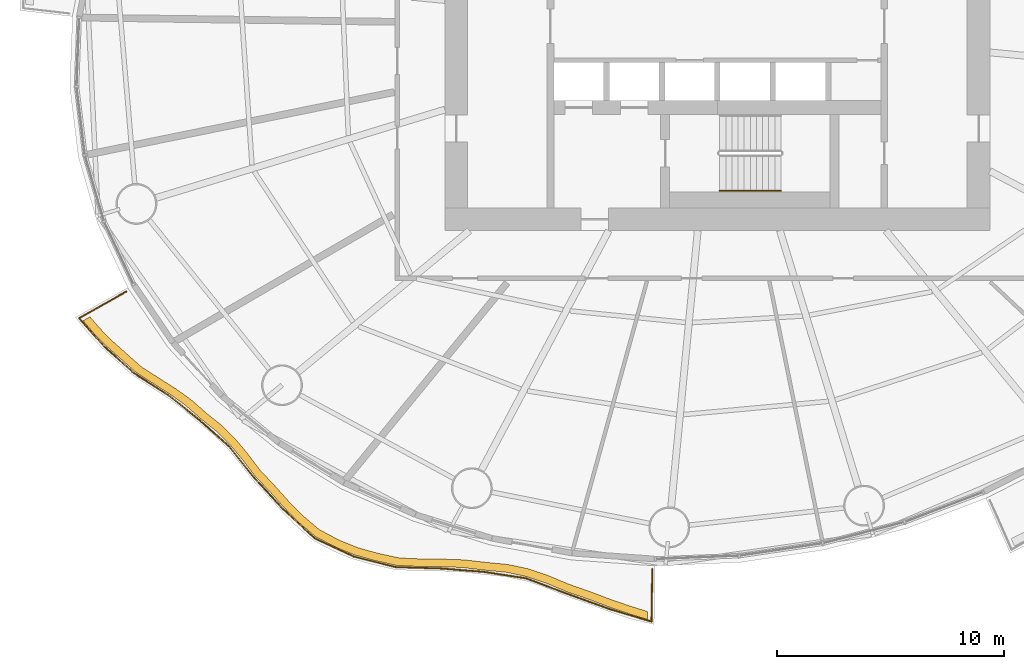
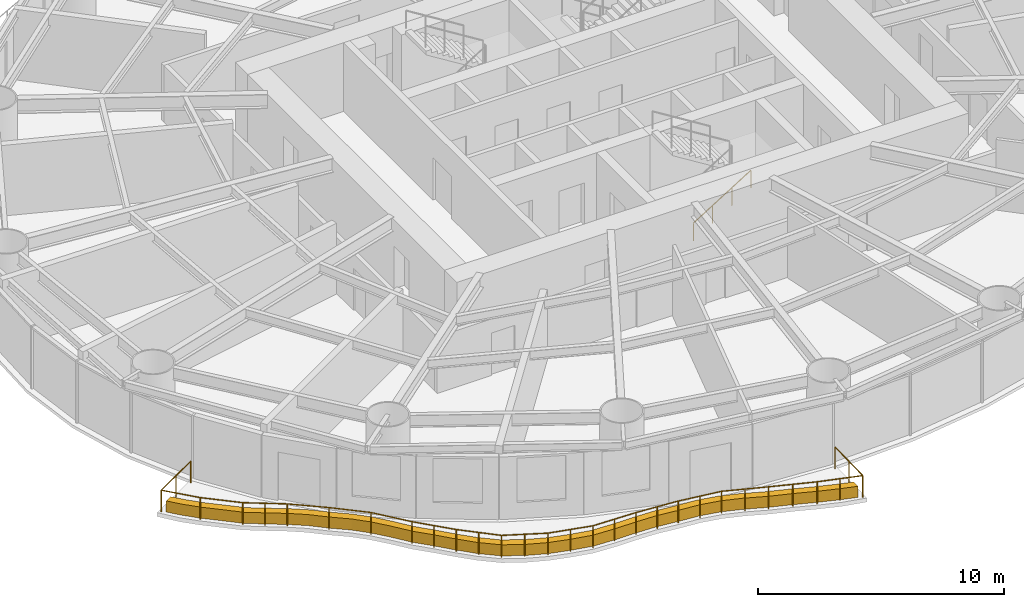
# One storey, part 12 of 16: 2 railings, 1 covering.
"""IFC4 building model written with IfcOpenShell, lengths in metres."""

from ifc_helpers import new_model, si_unit, direction, frame, origin, origin_2d, place, context, subcontext, project, spatial, polyline, circle, outline, extrude, material, type_object, element, save


model = new_model("IFC4")

# Units and contexts
model_context = context("Model", 3, precision=1e-05, world=origin(), true_north=direction((0.0, 1.0)))
body_context = subcontext(model_context, "Body", "Model", "MODEL_VIEW")
ifc_project = project(units=[si_unit("LENGTHUNIT", "METRE"), si_unit("AREAUNIT", "SQUARE_METRE"), si_unit("VOLUMEUNIT", "CUBIC_METRE"), si_unit("PLANEANGLEUNIT", "RADIAN"), si_unit("MASSUNIT", "GRAM", prefix="KILO")], contexts=[model_context])

# Site, building, storey
site_placement = place(None, origin())
site = spatial("IfcSite", under=ifc_project, at=site_placement, CompositionType="ELEMENT")
building_placement = place(site_placement, origin())
building = spatial("IfcBuilding", under=site, at=building_placement, Name="Vermilion Reach Broadcast Tower", CompositionType="ELEMENT")
storey_placement = place(building_placement, frame((0.0, 0.0, 80.39990234375)))
storey = spatial("IfcBuildingStorey", under=building, at=storey_placement, Name="L17", CompositionType="ELEMENT", Elevation=80.39990234375)

# Covering
ifc_material_1 = material(Name="Planting soil and greenery")
covering_type = type_object("IfcCoveringType", Name="Balcony PLANTER", PredefinedType="USERDEFINED", material=ifc_material_1)
covering_placement = place(storey_placement, origin())
element("IfcCovering", 1, at=covering_placement, inside=storey, type_object=covering_type, Name="PLANTER L17 group 3", ObjectType="PLANTER", PredefinedType="USERDEFINED", context=body_context, shape_type="SweptSolid", body=[
    extrude(outline(polyline([(-33.92626953125, -12.96630859375), (-33.4853515625, -13.486572265625), (-32.9228515625, -14.058349609375), (-32.314208984375, -14.599365234375), (-31.60498046875, -15.233154296875), (-30.79052734375, -15.760009765625), (-30.085205078125, -16.2060546875), (-29.418212890625, -16.68701171875), (-28.753173828125, -17.273193359375), (-28.048828125, -17.836181640625), (-27.4599609375, -18.42041015625), (-26.921142578125, -19.065673828125), (-26.34033203125, -19.821044921875), (-25.66357421875, -20.533935546875), (-25.072998046875, -21.19189453125), (-24.463623046875, -21.819091796875), (-23.689697265625, -22.47119140625), (-22.783447265625, -22.949462890625), (-21.9765625, -23.274658203125), (-21.130615234375, -23.513427734375), (-20.1376953125, -23.7353515625), (-19.089111328125, -23.7890625), (-18.1591796875, -23.794921875), (-17.23779296875, -23.82861328125), (-16.27197265625, -23.9443359375), (-15.2978515625, -24.0380859375), (-14.40869140625, -24.22607421875), (-13.53857421875, -24.5166015625), (-12.60546875, -24.9052734375), (-11.623779296875, -25.24267578125), (-10.722412109375, -25.5849609375), (-9.81884765625, -25.8935546875), (-9.0791015625, -26.1171875), (-9.07373046875, -25.767333984375), (-9.79443359375, -25.54443359375), (-10.697998046875, -25.23583984375), (-11.59912109375, -24.893310546875), (-12.561279296875, -24.55810546875), (-13.47509765625, -24.172607421875), (-14.344970703125, -23.882080078125), (-15.234130859375, -23.694091796875), (-16.1884765625, -23.6044921875), (-17.134521484375, -23.494140625), (-18.055908203125, -23.46044921875), (-18.98583984375, -23.45458984375), (-20.01416015625, -23.407958984375), (-20.9873046875, -23.1943359375), (-21.8330078125, -22.955322265625), (-22.64013671875, -22.630126953125), (-23.526123046875, -22.16162109375), (-24.280517578125, -21.520751953125), (-24.889892578125, -20.8935546875), (-25.48046875, -20.235595703125), (-26.137451171875, -19.535888671875), (-26.699462890625, -18.794677734375), (-27.238525390625, -18.149658203125), (-27.8271484375, -17.5654296875), (-28.5126953125, -17.018798828125), (-29.160400390625, -16.450439453125), (-29.827392578125, -15.969482421875), (-30.53271484375, -15.5234375), (-31.330322265625, -15.016357421875), (-32.024169921875, -14.4033203125), (-32.632568359375, -13.862548828125), (-33.1953125, -13.290771484375), (-33.6220703125, -12.79345703125), (-33.92626953125, -12.96630859375)])), origin(), (0.0, 0.0, 1.0), 0.550048828125),
])

# Railings
ifc_material_2 = material(Name="Stainless steel 316 balustrade", Category="steel")
railing_type_1 = type_object("IfcRailingType", Name="Balcony guard 1100", PredefinedType="BALUSTRADE", material=ifc_material_2)
railing_1_placement = place(storey_placement, frame((-32.026123046875, -11.680908203125, 0.0)))
element("IfcRailing", 2, at=railing_1_placement, inside=storey, type_object=railing_type_1, Name="Balcony guard L17 group 3", PredefinedType="BALUSTRADE", context=body_context, shape_type="SweptSolid", body=[
    extrude(circle(Radius=0.02490234375, at=origin_2d()), frame((0.0, 0.0, 1.0751953125), z_axis=(-0.869577640456, -0.493796240589, 0.0), x_axis=(0.493796240589, -0.869577640456, 0.0)), (0.0, 0.0, 1.0), 2.381103515625),
    extrude(circle(Radius=0.02490234375, at=origin_2d()), frame((-2.070556640625, -1.17578125, 1.0751953125), z_axis=(0.664227522133, -0.747530466831, 0.0), x_axis=(0.747530466831, 0.664227522133, 0.0)), (0.0, 0.0, 1.0), 1.66748046875),
    extrude(circle(Radius=0.02490234375, at=origin_2d()), frame((-0.962890625, -2.42236328125, 1.0751953125), z_axis=(0.746015921784, -0.665928107565, 0.0), x_axis=(0.665928107565, 0.746015921784, 0.0)), (0.0, 0.0, 1.0), 1.771240234375),
    extrude(circle(Radius=0.02490234375, at=origin_2d()), frame((0.3583984375, -3.601806640625, 1.0751953125), z_axis=(0.841633935065, -0.540048441667, 0.0), x_axis=(0.540048441667, 0.841633935065, 0.0)), (0.0, 0.0, 1.0), 1.81005859375),
    extrude(circle(Radius=0.02490234375, at=origin_2d()), frame((1.8818359375, -4.579345703125, 1.0751953125), z_axis=(0.78027036471, -0.625442369812, 0.0), x_axis=(0.625442369812, 0.78027036471, 0.0)), (0.0, 0.0, 1.0), 1.71240234375),
    extrude(circle(Radius=0.02490234375, at=origin_2d()), frame((3.218017578125, -5.650390625, 1.0751953125), z_axis=(0.748007009917, -0.663690826451, 0.0), x_axis=(0.663690826451, 0.748007009917, 0.0)), (0.0, 0.0, 1.0), 1.734375),
    extrude(circle(Radius=0.02490234375, at=origin_2d()), frame((4.515380859375, -6.801513671875, 1.0751953125), z_axis=(0.625026106492, -0.780603847161, 0.0), x_axis=(0.780603847161, 0.625026106492, 0.0)), (0.0, 0.0, 1.0), 1.79833984375),
    extrude(circle(Radius=0.02490234375, at=origin_2d()), frame((5.639404296875, -8.205322265625, 1.0751953125), z_axis=(0.679395029703, -0.733772712503, 0.0), x_axis=(0.733772712503, 0.679395029703, 0.0)), (0.0, 0.0, 1.0), 1.872314453125),
    extrude(circle(Radius=0.02490234375, at=origin_2d()), frame((6.911376953125, -9.5791015625, 1.0751953125), z_axis=(0.734595306114, -0.678505516731, 0.0), x_axis=(0.678505516731, 0.734595306114, 0.0)), (0.0, 0.0, 1.0), 1.88916015625),
    extrude(circle(Radius=0.02490234375, at=origin_2d()), frame((8.299072265625, -10.86083984375, 1.0751953125), z_axis=(0.905316720602, -0.424737136826, 0.0), x_axis=(0.424737136826, 0.905316720602, 0.0)), (0.0, 0.0, 1.0), 1.8974609375),
    extrude(circle(Radius=0.02490234375, at=origin_2d()), frame((10.016845703125, -11.666748046875, 1.0751953125), z_axis=(0.969915372312, -0.24344233517, 0.0), x_axis=(0.24344233517, 0.969915372312, 0.0)), (0.0, 0.0, 1.0), 1.900390625),
    extrude(circle(Radius=0.02490234375, at=origin_2d()), frame((11.860107421875, -12.12939453125, 1.0751953125), z_axis=(0.999526730276, -0.030762240868, 0.0), x_axis=(0.030762240868, 0.999526730276, 0.0)), (0.0, 0.0, 1.0), 1.984130859375),
    extrude(circle(Radius=0.02490234375, at=origin_2d()), frame((13.84326171875, -12.1904296875, 1.0751953125), z_axis=(0.996844257686, -0.079382151135, 0.0), x_axis=(0.079382151135, 0.996844257686, 0.0)), (0.0, 0.0, 1.0), 1.897705078125),
    extrude(circle(Radius=0.02490234375, at=origin_2d()), frame((15.73486328125, -12.341064453125, 1.0751953125), z_axis=(0.988720143879, -0.14977475451, 0.0), x_axis=(0.14977475451, 0.988720143879, 0.0)), (0.0, 0.0, 1.0), 1.88916015625),
    extrude(circle(Radius=0.02490234375, at=origin_2d()), frame((17.602783203125, -12.6240234375, 1.0751953125), z_axis=(0.936032744076, -0.351912918232, 0.0), x_axis=(0.351912918232, 0.936032744076, 0.0)), (0.0, 0.0, 1.0), 1.931396484375),
    extrude(circle(Radius=0.02490234375, at=origin_2d()), frame((19.41064453125, -13.3037109375, 1.0751953125), z_axis=(0.940777221568, -0.339025396364, 0.0), x_axis=(0.339025396364, 0.940777221568, 0.0)), (0.0, 0.0, 1.0), 2.00634765625),
    extrude(circle(Radius=0.02490234375, at=origin_2d()), frame((21.298095703125, -13.98388671875, 1.0751953125), z_axis=(0.958255147274, -0.285914450008, 0.0), x_axis=(0.285914450008, 0.958255147274, 0.0)), (0.0, 0.0, 1.0), 1.90673828125),
    extrude(circle(Radius=0.02490234375, at=origin_2d()), frame((23.125244140625, -14.529052734375, 1.0751953125), z_axis=(0.015413647513, 0.999881202679, 0.0), x_axis=(-0.999881202679, 0.015413647513, 0.0)), (0.0, 0.0, 1.0), 2.3125),
    extrude(circle(Radius=0.02490234375, at=origin_2d()), origin(), (0.0, 0.0, 1.0), 1.050048828125),
    extrude(circle(Radius=0.02490234375, at=origin_2d()), frame((-1.03515625, -0.587890625, 0.0)), (0.0, 0.0, 1.0), 1.050048828125),
    extrude(circle(Radius=0.02490234375, at=origin_2d()), frame((-2.070556640625, -1.17578125, 0.0)), (0.0, 0.0, 1.0), 1.050048828125),
    extrude(circle(Radius=0.02490234375, at=origin_2d()), frame((-0.962890625, -2.42236328125, 0.0)), (0.0, 0.0, 1.0), 1.050048828125),
    extrude(circle(Radius=0.02490234375, at=origin_2d()), frame((0.3583984375, -3.601806640625, 0.0)), (0.0, 0.0, 1.0), 1.050048828125),
    extrude(circle(Radius=0.02490234375, at=origin_2d()), frame((1.1201171875, -4.090576171875, 0.0)), (0.0, 0.0, 1.0), 1.050048828125),
    extrude(circle(Radius=0.02490234375, at=origin_2d()), frame((1.8818359375, -4.579345703125, 0.0)), (0.0, 0.0, 1.0), 1.050048828125),
    extrude(circle(Radius=0.02490234375, at=origin_2d()), frame((3.218017578125, -5.650390625, 0.0)), (0.0, 0.0, 1.0), 1.050048828125),
    extrude(circle(Radius=0.02490234375, at=origin_2d()), frame((4.515380859375, -6.801513671875, 0.0)), (0.0, 0.0, 1.0), 1.050048828125),
    extrude(circle(Radius=0.02490234375, at=origin_2d()), frame((5.639404296875, -8.205322265625, 0.0)), (0.0, 0.0, 1.0), 1.050048828125),
    extrude(circle(Radius=0.02490234375, at=origin_2d()), frame((6.275390625, -8.89208984375, 0.0)), (0.0, 0.0, 1.0), 1.050048828125),
    extrude(circle(Radius=0.02490234375, at=origin_2d()), frame((6.911376953125, -9.5791015625, 0.0)), (0.0, 0.0, 1.0), 1.050048828125),
    extrude(circle(Radius=0.02490234375, at=origin_2d()), frame((7.605224609375, -10.219970703125, 0.0)), (0.0, 0.0, 1.0), 1.050048828125),
    extrude(circle(Radius=0.02490234375, at=origin_2d()), frame((8.299072265625, -10.86083984375, 0.0)), (0.0, 0.0, 1.0), 1.050048828125),
    extrude(circle(Radius=0.02490234375, at=origin_2d()), frame((9.157958984375, -11.263671875, 0.0)), (0.0, 0.0, 1.0), 1.050048828125),
    extrude(circle(Radius=0.02490234375, at=origin_2d()), frame((10.016845703125, -11.666748046875, 0.0)), (0.0, 0.0, 1.0), 1.050048828125),
    extrude(circle(Radius=0.02490234375, at=origin_2d()), frame((10.9384765625, -11.89794921875, 0.0)), (0.0, 0.0, 1.0), 1.050048828125),
    extrude(circle(Radius=0.02490234375, at=origin_2d()), frame((11.860107421875, -12.12939453125, 0.0)), (0.0, 0.0, 1.0), 1.050048828125),
    extrude(circle(Radius=0.02490234375, at=origin_2d()), frame((12.8515625, -12.159912109375, 0.0)), (0.0, 0.0, 1.0), 1.050048828125),
    extrude(circle(Radius=0.02490234375, at=origin_2d()), frame((13.84326171875, -12.1904296875, 0.0)), (0.0, 0.0, 1.0), 1.050048828125),
    extrude(circle(Radius=0.02490234375, at=origin_2d()), frame((14.7890625, -12.265625, 0.0)), (0.0, 0.0, 1.0), 1.050048828125),
    extrude(circle(Radius=0.02490234375, at=origin_2d()), frame((15.73486328125, -12.341064453125, 0.0)), (0.0, 0.0, 1.0), 1.050048828125),
    extrude(circle(Radius=0.02490234375, at=origin_2d()), frame((16.6689453125, -12.482421875, 0.0)), (0.0, 0.0, 1.0), 1.050048828125),
    extrude(circle(Radius=0.02490234375, at=origin_2d()), frame((17.602783203125, -12.6240234375, 0.0)), (0.0, 0.0, 1.0), 1.050048828125),
    extrude(circle(Radius=0.02490234375, at=origin_2d()), frame((18.5068359375, -12.9638671875, 0.0)), (0.0, 0.0, 1.0), 1.050048828125),
    extrude(circle(Radius=0.02490234375, at=origin_2d()), frame((19.41064453125, -13.3037109375, 0.0)), (0.0, 0.0, 1.0), 1.050048828125),
    extrude(circle(Radius=0.02490234375, at=origin_2d()), frame((20.3544921875, -13.643798828125, 0.0)), (0.0, 0.0, 1.0), 1.050048828125),
    extrude(circle(Radius=0.02490234375, at=origin_2d()), frame((21.298095703125, -13.98388671875, 0.0)), (0.0, 0.0, 1.0), 1.050048828125),
    extrude(circle(Radius=0.02490234375, at=origin_2d()), frame((22.211669921875, -14.25634765625, 0.0)), (0.0, 0.0, 1.0), 1.050048828125),
    extrude(circle(Radius=0.02490234375, at=origin_2d()), frame((23.125244140625, -14.529052734375, 0.0)), (0.0, 0.0, 1.0), 1.050048828125),
    extrude(circle(Radius=0.02490234375, at=origin_2d()), frame((23.14306640625, -13.373046875, 0.0)), (0.0, 0.0, 1.0), 1.050048828125),
    extrude(circle(Radius=0.02490234375, at=origin_2d()), frame((23.160888671875, -12.216796875, 0.0)), (0.0, 0.0, 1.0), 1.050048828125),
])
ifc_material_3 = material(Name="Stainless steel", Category="steel")
railing_type_2 = type_object("IfcRailingType", Name="Stair handrail", PredefinedType="HANDRAIL", material=ifc_material_3)
railing_2_placement = place(storey_placement, frame((-5.89990234375, -7.25, 0.168212890625)))
element("IfcRailing", 3, at=railing_2_placement, inside=storey, type_object=railing_type_2, Name="L17 ST3 stair handrail 1", PredefinedType="HANDRAIL", context=body_context, shape_type="SweptSolid", body=[
    extrude(circle(Radius=0.02392578125, at=origin_2d()), frame((0.0, 0.0, 0.8759765625), z_axis=(0.848786430784, 0.0, 0.528735846068), x_axis=(0.0, 1.0, 0.0)), (0.0, 0.0, 1.0), 3.180908203125),
    extrude(circle(Radius=0.02099609375, at=origin_2d()), origin(), (0.0, 0.0, 1.0), 0.851806640625),
    extrude(circle(Radius=0.02099609375, at=origin_2d()), frame((0.89990234375, 0.0, 0.560546875)), (0.0, 0.0, 1.0), 0.851806640625),
    extrude(circle(Radius=0.02099609375, at=origin_2d()), frame((1.800048828125, 0.0, 1.121337890625)), (0.0, 0.0, 1.0), 0.851806640625),
    extrude(circle(Radius=0.02099609375, at=origin_2d()), frame((2.699951171875, 0.0, 1.681884765625)), (0.0, 0.0, 1.0), 0.851806640625),
])

save(model, "model.ifc")
